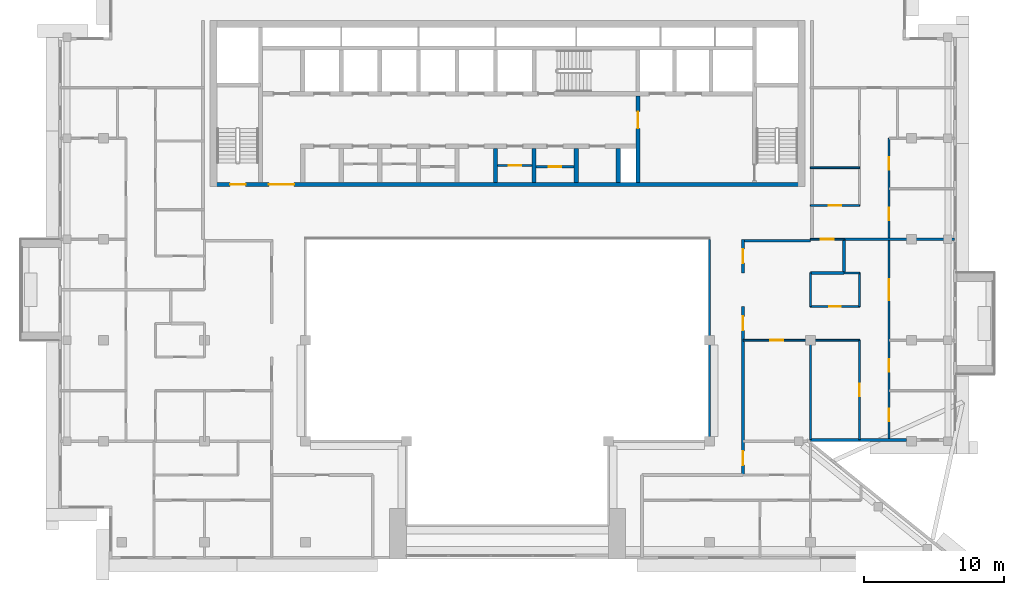
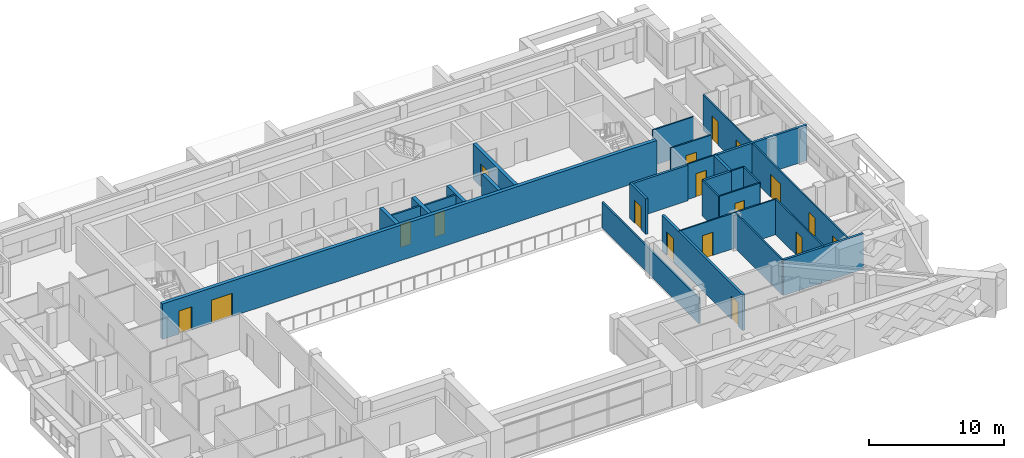
# One storey, part 9 of 18: 27 walls, 18 doors, 18 openings.
"""IFC4 building model written with IfcOpenShell, lengths in metres."""

from ifc_helpers import new_model, si_unit, direction, frame, frame_2d, origin, place, context, subcontext, project, spatial, rectangle, extrude, material, layer, layer_set, type_object, element, fill, save


model = new_model("IFC4")

# Units and contexts
model_context = context("Model", 3, precision=1e-05, world=origin(), true_north=direction((0.0, 1.0)))
body_context = subcontext(model_context, "Body", "Model", "MODEL_VIEW")
ifc_project = project(units=[si_unit("LENGTHUNIT", "METRE"), si_unit("AREAUNIT", "SQUARE_METRE"), si_unit("VOLUMEUNIT", "CUBIC_METRE"), si_unit("PLANEANGLEUNIT", "RADIAN"), si_unit("MASSUNIT", "GRAM", prefix="KILO")], contexts=[model_context])

# Site, building, storey
site_placement = place(None, origin())
site = spatial("IfcSite", under=ifc_project, at=site_placement, CompositionType="ELEMENT")
building_placement = place(site_placement, origin())
building = spatial("IfcBuilding", under=site, at=building_placement, Name="Saffron Iwan Residences", CompositionType="ELEMENT")
storey_placement = place(building_placement, frame((0.0, 0.0, 260.5)))
storey = spatial("IfcBuildingStorey", under=building, at=storey_placement, Name="L70", CompositionType="ELEMENT", Elevation=260.5)

# Wall
ifc_material_1 = material(Name="Fire-rated glazing", Category="glass")
ifc_layer_1 = layer(ifc_material_1, 0.14990234375)
ifc_layer_set_1 = layer_set([ifc_layer_1], Name="Fire-rated glazing")
wall_type_1 = type_object("IfcWallType", Name="Atrium glazed screen 150", PredefinedType="SOLIDWALL", material=ifc_layer_set_1)
wall_1_placement = place(storey_placement, frame((64.800048828125, 48.0, 0.0), z_axis=(0.0, 0.0, 1.0), x_axis=(0.0, 1.0, 0.0)))
element("IfcWall", 1, at=wall_1_placement, inside=storey, type_object=wall_type_1, Name="W-L70-SCREEN-v64.8-48", PredefinedType="SOLIDWALL", context=body_context, shape_type="SweptSolid", body=[
    extrude(rectangle(XDim=14.39990234375, YDim=0.14990234375, at=frame_2d((7.199951171875, 0.0))), origin(), (0.0, 0.0, 1.0), 2.320068359375),
])

# Wall, opening, door
ifc_material_2 = material(Name="Fire-rated plasterboard partition")
ifc_layer_2 = layer(ifc_material_2, 0.14990234375)
ifc_layer_set_2 = layer_set([ifc_layer_2], Name="Fire-rated plasterboard partition")
wall_type_2 = type_object("IfcWallType", Name="Core partition 150", PredefinedType="PARTITIONING", material=ifc_layer_set_2)
wall_2_placement = place(storey_placement, frame((49.699951171875, 67.66259765625, 0.0), z_axis=(0.0, 0.0, 1.0), x_axis=(1.0, 0.0, 0.0)))
wall_2 = element("IfcWall", 2, at=wall_2_placement, inside=storey, type_object=wall_type_2, Name="Core partition P04", PredefinedType="PARTITIONING", context=body_context, shape_type="SweptSolid", body=[
    extrude(rectangle(XDim=2.449951171875, YDim=0.14990234375, at=frame_2d((1.22509765625, 0.0))), origin(), (0.0, 0.0, 1.0), 3.219970703125),
])
opening_1_placement = place(wall_2_placement, frame((0.77490234375, 0.0, 0.0)))
opening_1 = element("IfcOpeningElement", 3, at=opening_1_placement, cuts=wall_2, Name="Opening SB", PredefinedType="OPENING", context=body_context, shape_type="SweptSolid", body=[
    extrude(rectangle(XDim=0.89990234375, YDim=2.10009765625, at=frame_2d((0.449951171875, 1.050048828125))), frame((0.0, 0.0849609375, 0.0), z_axis=(0.0, -1.0, 0.0), x_axis=(1.0, 0.0, 0.0)), (0.0, 0.0, 1.0), 0.169921875),
])
ifc_material_3 = material(Name="Steel fire door", Category="steel")
door_type_1 = type_object("IfcDoorType", Name="Store door 900", OperationType="NOTDEFINED", PredefinedType="DOOR", material=ifc_material_3)
door_1_placement = place(opening_1_placement, origin())
door_1 = element("IfcDoor", 4, at=door_1_placement, inside=storey, type_object=door_type_1, Name="Door Records store", OperationType="SINGLE_SWING_LEFT", OverallHeight=2.10009765625, OverallWidth=0.89990234375, PredefinedType="DOOR", context=body_context, shape_type="SweptSolid", body=[
    extrude(rectangle(XDim=0.89990234375, YDim=2.10009765625, at=frame_2d((0.449951171875, 1.050048828125))), frame((0.0, 0.02490234375, 0.0), z_axis=(0.0, -1.0, 0.0), x_axis=(1.0, 0.0, 0.0)), (0.0, 0.0, 1.0), 0.050048828125),
])
fill(opening_1, door_1)

wall_3_placement = place(storey_placement, frame((52.449951171875, 67.5654296875, 0.0), z_axis=(0.0, 0.0, 1.0), x_axis=(1.0, 0.0, 0.0)))
wall_3 = element("IfcWall", 5, at=wall_3_placement, inside=storey, type_object=wall_type_2, Name="Core partition P05", PredefinedType="PARTITIONING", context=body_context, shape_type="SweptSolid", body=[
    extrude(rectangle(XDim=2.699951171875, YDim=0.14990234375, at=frame_2d((1.35009765625, 0.0))), origin(), (0.0, 0.0, 1.0), 3.219970703125),
])
opening_2_placement = place(wall_3_placement, frame((0.89990234375, 0.0, 0.0)))
opening_2 = element("IfcOpeningElement", 6, at=opening_2_placement, cuts=wall_3, Name="Opening SB", PredefinedType="OPENING", context=body_context, shape_type="SweptSolid", body=[
    extrude(rectangle(XDim=0.89990234375, YDim=2.10009765625, at=frame_2d((0.449951171875, 1.050048828125))), frame((0.0, 0.0849609375, 0.0), z_axis=(0.0, -1.0, 0.0), x_axis=(1.0, 0.0, 0.0)), (0.0, 0.0, 1.0), 0.169921875),
])
door_2_placement = place(opening_2_placement, origin())
door_2 = element("IfcDoor", 7, at=door_2_placement, inside=storey, type_object=door_type_1, Name="Door Equipment store", OperationType="SINGLE_SWING_RIGHT", OverallHeight=2.10009765625, OverallWidth=0.89990234375, PredefinedType="DOOR", context=body_context, shape_type="SweptSolid", body=[
    extrude(rectangle(XDim=0.89990234375, YDim=2.10009765625, at=frame_2d((0.449951171875, 1.050048828125))), frame((0.0, 0.02490234375, 0.0), z_axis=(0.0, -1.0, 0.0), x_axis=(1.0, 0.0, 0.0)), (0.0, 0.0, 1.0), 0.050048828125),
])
fill(opening_2, door_2)

# Walls
ifc_material_4 = material(Name="Concrete C40/50", Category="concrete")
ifc_layer_3 = layer(ifc_material_4, 0.199951171875)
ifc_layer_set_3 = layer_set([ifc_layer_3], Name="Concrete C40/50")
wall_type_3 = type_object("IfcWallType", Name="EXTERNAL WALL 200", PredefinedType="SOLIDWALL", material=ifc_layer_set_3)
wall_4_placement = place(storey_placement, frame((71.987060546875, 48.10009765625, 0.0), z_axis=(0.0, 0.0, 1.0), x_axis=(1.0, 0.0, 0.0)))
element("IfcWall", 8, at=wall_4_placement, inside=storey, type_object=wall_type_3, Name="External wall L70 F1.0", PredefinedType="SOLIDWALL", context=body_context, shape_type="SweptSolid", body=[
    extrude(rectangle(XDim=6.863037109375, YDim=0.199951171875, at=frame_2d((3.431640625, 0.0))), origin(), (0.0, 0.0, 1.0), 3.219970703125),
])
ifc_material_5 = material(Name="Fire-rated gypsum board wall")
ifc_layer_4 = layer(ifc_material_5, 0.199951171875)
ifc_layer_set_4 = layer_set([ifc_layer_4], Name="Fire-rated gypsum board wall")
wall_type_4 = type_object("IfcWallType", Name="Flat demising wall 200", PredefinedType="SOLIDWALL", material=ifc_layer_set_4)
wall_5_placement = place(storey_placement, frame((72.0, 60.0, 0.0), z_axis=(0.0, 0.0, 1.0), x_axis=(1.0, 0.0, 0.0)))
element("IfcWall", 9, at=wall_5_placement, inside=storey, type_object=wall_type_4, Name="W-L70-DEMISE-h60-72", PredefinedType="SOLIDWALL", context=body_context, shape_type="SweptSolid", body=[
    extrude(rectangle(XDim=2.39990234375, YDim=0.199951171875, at=frame_2d((1.199951171875, 0.0))), origin(), (0.0, 0.0, 1.0), 3.219970703125),
])
wall_6_placement = place(storey_placement, frame((74.39990234375, 62.39990234375, 0.0), z_axis=(0.0, 0.0, 1.0), x_axis=(1.0, 0.0, 0.0)))
element("IfcWall", 10, at=wall_6_placement, inside=storey, type_object=wall_type_4, Name="W-L70-DEMISE-h62.4-74.4", PredefinedType="SOLIDWALL", context=body_context, shape_type="SweptSolid", body=[
    extrude(rectangle(XDim=7.875, YDim=0.199951171875, at=frame_2d((3.9375, 0.0))), origin(), (0.0, 0.0, 1.0), 3.219970703125),
])
wall_7_placement = place(storey_placement, frame((74.39990234375, 60.0, 0.0), z_axis=(0.0, 0.0, 1.0), x_axis=(0.0, 1.0, 0.0)))
element("IfcWall", 11, at=wall_7_placement, inside=storey, type_object=wall_type_4, Name="W-L70-DEMISE-v74.4-60", PredefinedType="SOLIDWALL", context=body_context, shape_type="SweptSolid", body=[
    extrude(rectangle(XDim=2.39990234375, YDim=0.199951171875, at=frame_2d((1.199951171875, 0.0))), origin(), (0.0, 0.0, 1.0), 3.219970703125),
])

# Wall, opening, door
ifc_material_6 = material(Name="Gypsum board partition")
ifc_layer_5 = layer(ifc_material_6, 0.1201171875)
ifc_layer_set_5 = layer_set([ifc_layer_5], Name="Gypsum board partition")
wall_type_5 = type_object("IfcWallType", Name="Flat partition 120", PredefinedType="PARTITIONING", material=ifc_layer_set_5)
wall_8_placement = place(storey_placement, frame((67.199951171875, 55.199951171875, 0.0), z_axis=(0.0, 0.0, 1.0), x_axis=(1.0, 0.0, 0.0)))
wall_8 = element("IfcWall", 12, at=wall_8_placement, inside=storey, type_object=wall_type_5, Name="W-L70-PART-h55.2-67.2", PredefinedType="PARTITIONING", context=body_context, shape_type="SweptSolid", body=[
    extrude(rectangle(XDim=8.300048828125, YDim=0.1201171875, at=frame_2d((4.14990234375, 0.0))), origin(), (0.0, 0.0, 1.0), 3.219970703125),
])
opening_3_placement = place(wall_8_placement, frame((1.949951171875, 0.0, 0.0)))
opening_3 = element("IfcOpeningElement", 13, at=opening_3_placement, cuts=wall_8, Name="Opening FD2", PredefinedType="OPENING", context=body_context, shape_type="SweptSolid", body=[
    extrude(rectangle(XDim=0.89990234375, YDim=2.10009765625, at=frame_2d((0.449951171875, 1.050048828125))), frame((0.0, 0.070068359375, 0.0), z_axis=(0.0, -1.0, 0.0), x_axis=(1.0, 0.0, 0.0)), (0.0, 0.0, 1.0), 0.14013671875),
])
ifc_material_7 = material(Name="Timber door", Category="wood")
door_type_2 = type_object("IfcDoorType", Name="Flat door 900", OperationType="NOTDEFINED", PredefinedType="DOOR", material=ifc_material_7)
door_3_placement = place(opening_3_placement, origin())
door_3 = element("IfcDoor", 14, at=door_3_placement, inside=storey, type_object=door_type_2, Name="Door L70-019", OperationType="SINGLE_SWING_LEFT", OverallHeight=2.10009765625, OverallWidth=0.89990234375, PredefinedType="DOOR", context=body_context, shape_type="SweptSolid", body=[
    extrude(rectangle(XDim=0.89990234375, YDim=2.10009765625, at=frame_2d((0.449951171875, 1.050048828125))), frame((0.0, 0.02490234375, 0.0), z_axis=(0.0, -1.0, 0.0), x_axis=(1.0, 0.0, 0.0)), (0.0, 0.0, 1.0), 0.050048828125),
])
fill(opening_3, door_3)

wall_9_placement = place(storey_placement, frame((72.0, 57.60009765625, 0.0), z_axis=(0.0, 0.0, 1.0), x_axis=(1.0, 0.0, 0.0)))
wall_9 = element("IfcWall", 15, at=wall_9_placement, inside=storey, type_object=wall_type_5, Name="W-L70-PART-h57.6-72", PredefinedType="PARTITIONING", context=body_context, shape_type="SweptSolid", body=[
    extrude(rectangle(XDim=3.5, YDim=0.1201171875, at=frame_2d((1.75, 0.0))), origin(), (0.0, 0.0, 1.0), 3.219970703125),
])
opening_4_placement = place(wall_9_placement, frame((1.35009765625, 0.0, 0.0)))
opening_4 = element("IfcOpeningElement", 16, at=opening_4_placement, cuts=wall_9, Name="Opening FD3", PredefinedType="OPENING", context=body_context, shape_type="SweptSolid", body=[
    extrude(rectangle(XDim=0.800048828125, YDim=2.10009765625, at=frame_2d((0.39990234375, 1.050048828125))), frame((0.0, 0.070068359375, 0.0), z_axis=(0.0, -1.0, 0.0), x_axis=(1.0, 0.0, 0.0)), (0.0, 0.0, 1.0), 0.14013671875),
])
door_type_3 = type_object("IfcDoorType", Name="Bathroom door 800", OperationType="NOTDEFINED", PredefinedType="DOOR", material=ifc_material_7)
door_4_placement = place(opening_4_placement, origin())
door_4 = element("IfcDoor", 17, at=door_4_placement, inside=storey, type_object=door_type_3, Name="Door L70-018", OperationType="SINGLE_SWING_RIGHT", OverallHeight=2.10009765625, OverallWidth=0.800048828125, PredefinedType="DOOR", context=body_context, shape_type="SweptSolid", body=[
    extrude(rectangle(XDim=0.800048828125, YDim=2.10009765625, at=frame_2d((0.39990234375, 1.050048828125))), frame((0.0, 0.02490234375, 0.0), z_axis=(0.0, -1.0, 0.0), x_axis=(1.0, 0.0, 0.0)), (0.0, 0.0, 1.0), 0.050048828125),
])
fill(opening_4, door_4)

# Wall
wall_10_placement = place(storey_placement, frame((74.39990234375, 60.0, 0.0), z_axis=(0.0, 0.0, 1.0), x_axis=(1.0, 0.0, 0.0)))
element("IfcWall", 18, at=wall_10_placement, inside=storey, type_object=wall_type_5, Name="W-L70-PART-h60-74.4", PredefinedType="PARTITIONING", context=body_context, shape_type="SweptSolid", body=[
    extrude(rectangle(XDim=1.10009765625, YDim=0.1201171875, at=frame_2d((0.550048828125, 0.0))), origin(), (0.0, 0.0, 1.0), 3.219970703125),
])

# Wall, opening, door
wall_11_placement = place(storey_placement, frame((72.0, 62.39990234375, 0.0), z_axis=(0.0, 0.0, 1.0), x_axis=(1.0, 0.0, 0.0)))
wall_11 = element("IfcWall", 19, at=wall_11_placement, inside=storey, type_object=wall_type_5, Name="W-L70-PART-h62.4-72", PredefinedType="PARTITIONING", context=body_context, shape_type="SweptSolid", body=[
    extrude(rectangle(XDim=2.39990234375, YDim=0.1201171875, at=frame_2d((1.199951171875, 0.0))), origin(), (0.0, 0.0, 1.0), 3.219970703125),
])
opening_5_placement = place(wall_11_placement, frame((0.75, 0.0, 0.0)))
opening_5 = element("IfcOpeningElement", 20, at=opening_5_placement, cuts=wall_11, Name="Opening FD2", PredefinedType="OPENING", context=body_context, shape_type="SweptSolid", body=[
    extrude(rectangle(XDim=0.89990234375, YDim=2.10009765625, at=frame_2d((0.449951171875, 1.050048828125))), frame((0.0, 0.070068359375, 0.0), z_axis=(0.0, -1.0, 0.0), x_axis=(1.0, 0.0, 0.0)), (0.0, 0.0, 1.0), 0.14013671875),
])
door_5_placement = place(opening_5_placement, origin())
door_5 = element("IfcDoor", 21, at=door_5_placement, inside=storey, type_object=door_type_2, Name="Door L70-029", OperationType="SINGLE_SWING_LEFT", OverallHeight=2.10009765625, OverallWidth=0.89990234375, PredefinedType="DOOR", context=body_context, shape_type="SweptSolid", body=[
    extrude(rectangle(XDim=0.89990234375, YDim=2.10009765625, at=frame_2d((0.449951171875, 1.050048828125))), frame((0.0, 0.02490234375, 0.0), z_axis=(0.0, -1.0, 0.0), x_axis=(1.0, 0.0, 0.0)), (0.0, 0.0, 1.0), 0.050048828125),
])
fill(opening_5, door_5)

wall_12_placement = place(storey_placement, frame((72.0, 64.800048828125, 0.0), z_axis=(0.0, 0.0, 1.0), x_axis=(1.0, 0.0, 0.0)))
wall_12 = element("IfcWall", 22, at=wall_12_placement, inside=storey, type_object=wall_type_5, Name="W-L70-PART-h64.8-72", PredefinedType="PARTITIONING", context=body_context, shape_type="SweptSolid", body=[
    extrude(rectangle(XDim=3.5, YDim=0.1201171875, at=frame_2d((1.75, 0.0))), origin(), (0.0, 0.0, 1.0), 3.219970703125),
])
opening_6_placement = place(wall_12_placement, frame((1.300048828125, 0.0, 0.0)))
opening_6 = element("IfcOpeningElement", 23, at=opening_6_placement, cuts=wall_12, Name="Opening FD2", PredefinedType="OPENING", context=body_context, shape_type="SweptSolid", body=[
    extrude(rectangle(XDim=0.89990234375, YDim=2.10009765625, at=frame_2d((0.449951171875, 1.050048828125))), frame((0.0, 0.070068359375, 0.0), z_axis=(0.0, -1.0, 0.0), x_axis=(1.0, 0.0, 0.0)), (0.0, 0.0, 1.0), 0.14013671875),
])
door_6_placement = place(opening_6_placement, origin())
door_6 = element("IfcDoor", 24, at=door_6_placement, inside=storey, type_object=door_type_2, Name="Door L70-035", OperationType="SINGLE_SWING_LEFT", OverallHeight=2.10009765625, OverallWidth=0.89990234375, PredefinedType="DOOR", context=body_context, shape_type="SweptSolid", body=[
    extrude(rectangle(XDim=0.89990234375, YDim=2.10009765625, at=frame_2d((0.449951171875, 1.050048828125))), frame((0.0, 0.02490234375, 0.0), z_axis=(0.0, -1.0, 0.0), x_axis=(1.0, 0.0, 0.0)), (0.0, 0.0, 1.0), 0.050048828125),
])
fill(opening_6, door_6)

# Walls
wall_13_placement = place(storey_placement, frame((72.0, 67.5, 0.0), z_axis=(0.0, 0.0, 1.0), x_axis=(1.0, 0.0, 0.0)))
element("IfcWall", 25, at=wall_13_placement, inside=storey, type_object=wall_type_5, Name="W-L70-PART-h67.5-72", PredefinedType="PARTITIONING", context=body_context, shape_type="SweptSolid", body=[
    extrude(rectangle(XDim=3.5, YDim=0.1201171875, at=frame_2d((1.75, 0.0))), origin(), (0.0, 0.0, 1.0), 3.219970703125),
])
wall_14_placement = place(storey_placement, frame((72.0, 48.125, 0.0), z_axis=(0.0, 0.0, 1.0), x_axis=(0.0, 1.0, 0.0)))
element("IfcWall", 26, at=wall_14_placement, inside=storey, type_object=wall_type_5, Name="W-L70-PART-v72-48.125", PredefinedType="PARTITIONING", context=body_context, shape_type="SweptSolid", body=[
    extrude(rectangle(XDim=7.074951171875, YDim=0.1201171875, at=frame_2d((3.53759765625, 0.0))), origin(), (0.0, 0.0, 1.0), 3.219970703125),
])
wall_15_placement = place(storey_placement, frame((72.0, 57.60009765625, 0.0), z_axis=(0.0, 0.0, 1.0), x_axis=(0.0, 1.0, 0.0)))
element("IfcWall", 27, at=wall_15_placement, inside=storey, type_object=wall_type_5, Name="W-L70-PART-v72-57.6", PredefinedType="PARTITIONING", context=body_context, shape_type="SweptSolid", body=[
    extrude(rectangle(XDim=2.39990234375, YDim=0.1201171875, at=frame_2d((1.199951171875, 0.0))), origin(), (0.0, 0.0, 1.0), 3.219970703125),
])

# Wall, opening, door
wall_16_placement = place(storey_placement, frame((75.5, 48.125, 0.0), z_axis=(0.0, 0.0, 1.0), x_axis=(0.0, 1.0, 0.0)))
wall_16 = element("IfcWall", 28, at=wall_16_placement, inside=storey, type_object=wall_type_5, Name="W-L70-PART-v75.5-48.125", PredefinedType="PARTITIONING", context=body_context, shape_type="SweptSolid", body=[
    extrude(rectangle(XDim=7.074951171875, YDim=0.1201171875, at=frame_2d((3.53759765625, 0.0))), origin(), (0.0, 0.0, 1.0), 3.219970703125),
])
opening_7_placement = place(wall_16_placement, frame((3.08740234375, 0.0, 0.0)))
opening_7 = element("IfcOpeningElement", 29, at=opening_7_placement, cuts=wall_16, Name="Opening FD2", PredefinedType="OPENING", context=body_context, shape_type="SweptSolid", body=[
    extrude(rectangle(XDim=0.89990234375, YDim=2.10009765625, at=frame_2d((0.449951171875, 1.050048828125))), frame((0.0, 0.070068359375, 0.0), z_axis=(0.0, -1.0, 0.0), x_axis=(1.0, 0.0, 0.0)), (0.0, 0.0, 1.0), 0.14013671875),
])
door_7_placement = place(opening_7_placement, origin())
door_7 = element("IfcDoor", 30, at=door_7_placement, inside=storey, type_object=door_type_2, Name="Door L70-017", OperationType="SINGLE_SWING_LEFT", OverallHeight=2.10009765625, OverallWidth=0.89990234375, PredefinedType="DOOR", context=body_context, shape_type="SweptSolid", body=[
    extrude(rectangle(XDim=0.89990234375, YDim=2.10009765625, at=frame_2d((0.449951171875, 1.050048828125))), frame((0.0, 0.02490234375, 0.0), z_axis=(0.0, -1.0, 0.0), x_axis=(1.0, 0.0, 0.0)), (0.0, 0.0, 1.0), 0.050048828125),
])
fill(opening_7, door_7)

# Wall
wall_17_placement = place(storey_placement, frame((75.5, 57.60009765625, 0.0), z_axis=(0.0, 0.0, 1.0), x_axis=(0.0, 1.0, 0.0)))
element("IfcWall", 31, at=wall_17_placement, inside=storey, type_object=wall_type_5, Name="W-L70-PART-v75.5-57.6", PredefinedType="PARTITIONING", context=body_context, shape_type="SweptSolid", body=[
    extrude(rectangle(XDim=2.39990234375, YDim=0.1201171875, at=frame_2d((1.199951171875, 0.0))), origin(), (0.0, 0.0, 1.0), 3.219970703125),
])

# Wall, openings, doors
wall_18_placement = place(storey_placement, frame((77.60009765625, 48.125, 0.0), z_axis=(0.0, 0.0, 1.0), x_axis=(0.0, 1.0, 0.0)))
wall_18 = element("IfcWall", 32, at=wall_18_placement, inside=storey, type_object=wall_type_5, Name="W-L70-PART-v77.6-48.125", PredefinedType="PARTITIONING", context=body_context, shape_type="SweptSolid", body=[
    extrude(rectangle(XDim=21.47509765625, YDim=0.1201171875, at=frame_2d((10.737548828125, 0.0))), origin(), (0.0, 0.0, 1.0), 3.219970703125),
])
opening_8_placement = place(wall_18_placement, frame((1.28759765625, 0.0, 0.0)))
opening_8 = element("IfcOpeningElement", 33, at=opening_8_placement, cuts=wall_18, Name="Opening FD2", PredefinedType="OPENING", context=body_context, shape_type="SweptSolid", body=[
    extrude(rectangle(XDim=0.89990234375, YDim=2.10009765625, at=frame_2d((0.449951171875, 1.050048828125))), frame((0.0, 0.070068359375, 0.0), z_axis=(0.0, -1.0, 0.0), x_axis=(1.0, 0.0, 0.0)), (0.0, 0.0, 1.0), 0.14013671875),
])
opening_9_placement = place(wall_18_placement, frame((4.824951171875, 0.0, 0.0)))
opening_9 = element("IfcOpeningElement", 34, at=opening_9_placement, cuts=wall_18, Name="Opening FD2", PredefinedType="OPENING", context=body_context, shape_type="SweptSolid", body=[
    extrude(rectangle(XDim=0.89990234375, YDim=2.10009765625, at=frame_2d((0.449951171875, 1.050048828125))), frame((0.0, 0.070068359375, 0.0), z_axis=(0.0, -1.0, 0.0), x_axis=(1.0, 0.0, 0.0)), (0.0, 0.0, 1.0), 0.14013671875),
])
opening_10_placement = place(wall_18_placement, frame((9.925048828125, 0.0, 0.0)))
opening_10 = element("IfcOpeningElement", 35, at=opening_10_placement, cuts=wall_18, Name="Opening FD4", PredefinedType="OPENING", context=body_context, shape_type="SweptSolid", body=[
    extrude(rectangle(XDim=1.5, YDim=2.10009765625, at=frame_2d((0.75, 1.050048828125))), frame((0.0, 0.070068359375, 0.0), z_axis=(0.0, -1.0, 0.0), x_axis=(1.0, 0.0, 0.0)), (0.0, 0.0, 1.0), 0.14013671875),
])
opening_11_placement = place(wall_18_placement, frame((15.625, 0.0, 0.0)))
opening_11 = element("IfcOpeningElement", 36, at=opening_11_placement, cuts=wall_18, Name="Opening FD2", PredefinedType="OPENING", context=body_context, shape_type="SweptSolid", body=[
    extrude(rectangle(XDim=0.89990234375, YDim=2.10009765625, at=frame_2d((0.449951171875, 1.050048828125))), frame((0.0, 0.070068359375, 0.0), z_axis=(0.0, -1.0, 0.0), x_axis=(1.0, 0.0, 0.0)), (0.0, 0.0, 1.0), 0.14013671875),
])
opening_12_placement = place(wall_18_placement, frame((19.22509765625, 0.0, 0.0)))
opening_12 = element("IfcOpeningElement", 37, at=opening_12_placement, cuts=wall_18, Name="Opening FD2", PredefinedType="OPENING", context=body_context, shape_type="SweptSolid", body=[
    extrude(rectangle(XDim=0.89990234375, YDim=2.10009765625, at=frame_2d((0.449951171875, 1.050048828125))), frame((0.0, 0.070068359375, 0.0), z_axis=(0.0, -1.0, 0.0), x_axis=(1.0, 0.0, 0.0)), (0.0, 0.0, 1.0), 0.14013671875),
])
door_type_4 = type_object("IfcDoorType", Name="Double door 1500", OperationType="NOTDEFINED", PredefinedType="DOOR", material=ifc_material_7)
door_8_placement = place(opening_10_placement, origin())
door_8 = element("IfcDoor", 38, at=door_8_placement, inside=storey, type_object=door_type_4, Name="Door L70-016", OperationType="SINGLE_SWING_LEFT", OverallHeight=2.10009765625, OverallWidth=1.5, PredefinedType="DOOR", context=body_context, shape_type="SweptSolid", body=[
    extrude(rectangle(XDim=1.5, YDim=2.10009765625, at=frame_2d((0.75, 1.050048828125))), frame((0.0, 0.02490234375, 0.0), z_axis=(0.0, -1.0, 0.0), x_axis=(1.0, 0.0, 0.0)), (0.0, 0.0, 1.0), 0.050048828125),
])
fill(opening_10, door_8)
door_9_placement = place(opening_8_placement, origin())
door_9 = element("IfcDoor", 39, at=door_9_placement, inside=storey, type_object=door_type_2, Name="Door L70-014", OperationType="SINGLE_SWING_LEFT", OverallHeight=2.10009765625, OverallWidth=0.89990234375, PredefinedType="DOOR", context=body_context, shape_type="SweptSolid", body=[
    extrude(rectangle(XDim=0.89990234375, YDim=2.10009765625, at=frame_2d((0.449951171875, 1.050048828125))), frame((0.0, 0.02490234375, 0.0), z_axis=(0.0, -1.0, 0.0), x_axis=(1.0, 0.0, 0.0)), (0.0, 0.0, 1.0), 0.050048828125),
])
fill(opening_8, door_9)
door_10_placement = place(opening_9_placement, origin())
door_10 = element("IfcDoor", 40, at=door_10_placement, inside=storey, type_object=door_type_2, Name="Door L70-015", OperationType="SINGLE_SWING_RIGHT", OverallHeight=2.10009765625, OverallWidth=0.89990234375, PredefinedType="DOOR", context=body_context, shape_type="SweptSolid", body=[
    extrude(rectangle(XDim=0.89990234375, YDim=2.10009765625, at=frame_2d((0.449951171875, 1.050048828125))), frame((0.0, 0.02490234375, 0.0), z_axis=(0.0, -1.0, 0.0), x_axis=(1.0, 0.0, 0.0)), (0.0, 0.0, 1.0), 0.050048828125),
])
fill(opening_9, door_10)
door_11_placement = place(opening_11_placement, origin())
door_11 = element("IfcDoor", 41, at=door_11_placement, inside=storey, type_object=door_type_2, Name="Door L70-031", OperationType="SINGLE_SWING_LEFT", OverallHeight=2.10009765625, OverallWidth=0.89990234375, PredefinedType="DOOR", context=body_context, shape_type="SweptSolid", body=[
    extrude(rectangle(XDim=0.89990234375, YDim=2.10009765625, at=frame_2d((0.449951171875, 1.050048828125))), frame((0.0, 0.02490234375, 0.0), z_axis=(0.0, -1.0, 0.0), x_axis=(1.0, 0.0, 0.0)), (0.0, 0.0, 1.0), 0.050048828125),
])
fill(opening_11, door_11)
door_12_placement = place(opening_12_placement, origin())
door_12 = element("IfcDoor", 42, at=door_12_placement, inside=storey, type_object=door_type_2, Name="Door L70-032", OperationType="SINGLE_SWING_LEFT", OverallHeight=2.10009765625, OverallWidth=0.89990234375, PredefinedType="DOOR", context=body_context, shape_type="SweptSolid", body=[
    extrude(rectangle(XDim=0.89990234375, YDim=2.10009765625, at=frame_2d((0.449951171875, 1.050048828125))), frame((0.0, 0.02490234375, 0.0), z_axis=(0.0, -1.0, 0.0), x_axis=(1.0, 0.0, 0.0)), (0.0, 0.0, 1.0), 0.050048828125),
])
fill(opening_12, door_12)

# Wall
ifc_layer_6 = layer(ifc_material_5, 0.199951171875)
ifc_layer_set_6 = layer_set([ifc_layer_6], Name="Fire-rated gypsum board wall")
wall_type_6 = type_object("IfcWallType", Name="Gallery wall 200", PredefinedType="SOLIDWALL", material=ifc_layer_set_6)
wall_19_placement = place(storey_placement, frame((67.199951171875, 62.300048828125, 0.0), z_axis=(0.0, 0.0, 1.0), x_axis=(1.0, 0.0, 0.0)))
element("IfcWall", 43, at=wall_19_placement, inside=storey, type_object=wall_type_6, Name="W-L70-CORR-h62.4-67.2", PredefinedType="SOLIDWALL", context=body_context, shape_type="SweptSolid", body=[
    extrude(rectangle(XDim=4.800048828125, YDim=0.199951171875, at=frame_2d((2.39990234375, 0.0))), origin(), (0.0, 0.0, 1.0), 3.219970703125),
])

# Wall, openings, doors
wall_20_placement = place(storey_placement, frame((67.199951171875, 45.60009765625, 0.0), z_axis=(0.0, 0.0, 1.0), x_axis=(0.0, 1.0, 0.0)))
wall_20 = element("IfcWall", 44, at=wall_20_placement, inside=storey, type_object=wall_type_6, Name="W-L70-CORR-v67.2-45.6", PredefinedType="SOLIDWALL", context=body_context, shape_type="SweptSolid", body=[
    extrude(rectangle(XDim=12.0, YDim=0.199951171875, at=frame_2d((6.0, 0.0))), origin(), (0.0, 0.0, 1.0), 3.219970703125),
])
opening_13_placement = place(wall_20_placement, frame((10.300048828125, 0.0, 0.0)))
opening_13 = element("IfcOpeningElement", 45, at=opening_13_placement, cuts=wall_20, Name="Opening FD1", PredefinedType="OPENING", context=body_context, shape_type="SweptSolid", body=[
    extrude(rectangle(XDim=1.0, YDim=2.10009765625, at=frame_2d((0.5, 1.050048828125))), frame((0.0, 0.10986328125, 0.0), z_axis=(0.0, -1.0, 0.0), x_axis=(1.0, 0.0, 0.0)), (0.0, 0.0, 1.0), 0.219970703125),
])
opening_14_placement = place(wall_20_placement, frame((0.699951171875, 0.0, 0.0)))
opening_14 = element("IfcOpeningElement", 46, at=opening_14_placement, cuts=wall_20, Name="Opening FD5", PredefinedType="OPENING", context=body_context, shape_type="SweptSolid", body=[
    extrude(rectangle(XDim=1.0, YDim=2.10009765625, at=frame_2d((0.5, 1.050048828125))), frame((0.0, 0.10986328125, 0.0), z_axis=(0.0, -1.0, 0.0), x_axis=(1.0, 0.0, 0.0)), (0.0, 0.0, 1.0), 0.219970703125),
])
ifc_material_8 = material(Name="Fire-rated timber door", Category="wood")
door_type_5 = type_object("IfcDoorType", Name="FD30S flat entrance door 1000", OperationType="NOTDEFINED", PredefinedType="DOOR", material=ifc_material_8)
door_13_placement = place(opening_13_placement, origin())
door_13 = element("IfcDoor", 47, at=door_13_placement, inside=storey, type_object=door_type_5, Name="Door L70-013", OperationType="SINGLE_SWING_LEFT", OverallHeight=2.10009765625, OverallWidth=1.0, PredefinedType="DOOR", context=body_context, shape_type="SweptSolid", body=[
    extrude(rectangle(XDim=1.0, YDim=2.10009765625, at=frame_2d((0.5, 1.050048828125))), frame((0.0, 0.02490234375, 0.0), z_axis=(0.0, -1.0, 0.0), x_axis=(1.0, 0.0, 0.0)), (0.0, 0.0, 1.0), 0.050048828125),
])
fill(opening_13, door_13)
door_type_6 = type_object("IfcDoorType", Name="Lobby door 1000", OperationType="NOTDEFINED", PredefinedType="DOOR", material=ifc_material_8)
door_14_placement = place(opening_14_placement, origin())
door_14 = element("IfcDoor", 48, at=door_14_placement, inside=storey, type_object=door_type_6, Name="Door L70-039", OperationType="SINGLE_SWING_RIGHT", OverallHeight=2.10009765625, OverallWidth=1.0, PredefinedType="DOOR", context=body_context, shape_type="SweptSolid", body=[
    extrude(rectangle(XDim=1.0, YDim=2.10009765625, at=frame_2d((0.5, 1.050048828125))), frame((0.0, 0.02490234375, 0.0), z_axis=(0.0, -1.0, 0.0), x_axis=(1.0, 0.0, 0.0)), (0.0, 0.0, 1.0), 0.050048828125),
])
fill(opening_14, door_14)

# Wall, opening, door
wall_21_placement = place(storey_placement, frame((67.199951171875, 60.0, 0.0), z_axis=(0.0, 0.0, 1.0), x_axis=(0.0, 1.0, 0.0)))
wall_21 = element("IfcWall", 49, at=wall_21_placement, inside=storey, type_object=wall_type_6, Name="W-L70-CORR-v67.2-60", PredefinedType="SOLIDWALL", context=body_context, shape_type="SweptSolid", body=[
    extrude(rectangle(XDim=2.39990234375, YDim=0.199951171875, at=frame_2d((1.199951171875, 0.0))), origin(), (0.0, 0.0, 1.0), 3.219970703125),
])
opening_15_placement = place(wall_21_placement, frame((0.699951171875, 0.0, 0.0)))
opening_15 = element("IfcOpeningElement", 50, at=opening_15_placement, cuts=wall_21, Name="Opening FD5", PredefinedType="OPENING", context=body_context, shape_type="SweptSolid", body=[
    extrude(rectangle(XDim=1.0, YDim=2.10009765625, at=frame_2d((0.5, 1.050048828125))), frame((0.0, 0.10986328125, 0.0), z_axis=(0.0, -1.0, 0.0), x_axis=(1.0, 0.0, 0.0)), (0.0, 0.0, 1.0), 0.219970703125),
])
door_15_placement = place(opening_15_placement, origin())
door_15 = element("IfcDoor", 51, at=door_15_placement, inside=storey, type_object=door_type_6, Name="Door L70-030", OperationType="SINGLE_SWING_RIGHT", OverallHeight=2.10009765625, OverallWidth=1.0, PredefinedType="DOOR", context=body_context, shape_type="SweptSolid", body=[
    extrude(rectangle(XDim=1.0, YDim=2.10009765625, at=frame_2d((0.5, 1.050048828125))), frame((0.0, 0.02490234375, 0.0), z_axis=(0.0, -1.0, 0.0), x_axis=(1.0, 0.0, 0.0)), (0.0, 0.0, 1.0), 0.050048828125),
])
fill(opening_15, door_15)

# Wall, openings, doors
ifc_layer_7 = layer(ifc_material_4, 0.300048828125)
ifc_layer_set_7 = layer_set([ifc_layer_7], Name="Concrete C40/50")
wall_type_7 = type_object("IfcWallType", Name="WALL CORE 300 C40/50 3220 HIGH", PredefinedType="SHEAR", material=ifc_layer_set_7)
wall_22_placement = place(storey_placement, frame((29.199951171875, 66.300048828125, 0.0), z_axis=(0.0, 0.0, 1.0), x_axis=(1.0, 0.0, 0.0)))
wall_22 = element("IfcWall", 52, at=wall_22_placement, inside=storey, type_object=wall_type_7, Name="Core wall", PredefinedType="SHEAR", context=body_context, shape_type="SweptSolid", body=[
    extrude(rectangle(XDim=42.400146484375, YDim=0.300048828125, at=frame_2d((21.2001953125, 0.0))), origin(), (0.0, 0.0, 1.0), 3.219970703125),
])
opening_16_placement = place(wall_22_placement, frame((1.425048828125, 0.0, 0.0)))
opening_16 = element("IfcOpeningElement", 53, at=opening_16_placement, cuts=wall_22, Name="Opening SD", PredefinedType="OPENING", context=body_context, shape_type="SweptSolid", body=[
    extrude(rectangle(XDim=1.10009765625, YDim=2.10009765625, at=frame_2d((0.550048828125, 1.050048828125))), frame((0.0, 0.16015625, 0.0), z_axis=(0.0, -1.0, 0.0), x_axis=(1.0, 0.0, 0.0)), (0.0, 0.0, 1.0), 0.320068359375),
])
opening_17_placement = place(wall_22_placement, frame((4.199951171875, 0.0, 0.0)))
opening_17 = element("IfcOpeningElement", 54, at=opening_17_placement, cuts=wall_22, Name="Opening DD", PredefinedType="OPENING", context=body_context, shape_type="SweptSolid", body=[
    extrude(rectangle(XDim=1.800048828125, YDim=2.10009765625, at=frame_2d((0.89990234375, 1.050048828125))), frame((0.0, 0.16015625, 0.0), z_axis=(0.0, -1.0, 0.0), x_axis=(1.0, 0.0, 0.0)), (0.0, 0.0, 1.0), 0.320068359375),
])
door_type_7 = type_object("IfcDoorType", Name="Lobby double door 1800", OperationType="DOUBLE_DOOR_SINGLE_SWING", PredefinedType="DOOR", material=ifc_material_3)
door_16_placement = place(opening_17_placement, origin())
door_16 = element("IfcDoor", 55, at=door_16_placement, inside=storey, type_object=door_type_7, Name="Lobby doors", OperationType="DOUBLE_DOOR_SINGLE_SWING", OverallHeight=2.10009765625, OverallWidth=1.800048828125, PredefinedType="DOOR", context=body_context, shape_type="SweptSolid", body=[
    extrude(rectangle(XDim=1.800048828125, YDim=2.10009765625, at=frame_2d((0.89990234375, 1.050048828125))), frame((0.0, 0.02490234375, 0.0), z_axis=(0.0, -1.0, 0.0), x_axis=(1.0, 0.0, 0.0)), (0.0, 0.0, 1.0), 0.050048828125),
])
fill(opening_17, door_16)
door_type_8 = type_object("IfcDoorType", Name="Stair door 1100", OperationType="NOTDEFINED", PredefinedType="DOOR", material=ifc_material_3)
door_17_placement = place(opening_16_placement, origin())
door_17 = element("IfcDoor", 56, at=door_17_placement, inside=storey, type_object=door_type_8, Name="Stair door ST-W", OperationType="SINGLE_SWING_LEFT", OverallHeight=2.10009765625, OverallWidth=1.10009765625, PredefinedType="DOOR", context=body_context, shape_type="SweptSolid", body=[
    extrude(rectangle(XDim=1.10009765625, YDim=2.10009765625, at=frame_2d((0.550048828125, 1.050048828125))), frame((0.0, 0.02490234375, 0.0), z_axis=(0.0, -1.0, 0.0), x_axis=(1.0, 0.0, 0.0)), (0.0, 0.0, 1.0), 0.050048828125),
])
fill(opening_16, door_17)

# Wall, opening, door
wall_23_placement = place(storey_placement, frame((59.699951171875, 66.449951171875, 0.0), z_axis=(0.0, 0.0, 1.0), x_axis=(0.0, 1.0, 0.0)))
wall_23 = element("IfcWall", 57, at=wall_23_placement, inside=storey, type_object=wall_type_7, Name="Core wall", PredefinedType="SHEAR", context=body_context, shape_type="SweptSolid", body=[
    extrude(rectangle(XDim=6.175048828125, YDim=0.300048828125, at=frame_2d((3.08740234375, 0.0))), origin(), (0.0, 0.0, 1.0), 3.219970703125),
])
opening_18_placement = place(wall_23_placement, frame((3.85009765625, 0.0, 0.0)))
opening_18 = element("IfcOpeningElement", 58, at=opening_18_placement, cuts=wall_23, Name="Opening FD", PredefinedType="OPENING", context=body_context, shape_type="SweptSolid", body=[
    extrude(rectangle(XDim=1.199951171875, YDim=2.10009765625, at=frame_2d((0.60009765625, 1.050048828125))), frame((0.0, 0.16015625, 0.0), z_axis=(0.0, -1.0, 0.0), x_axis=(1.0, 0.0, 0.0)), (0.0, 0.0, 1.0), 0.320068359375),
])
door_type_9 = type_object("IfcDoorType", Name="Firefighting lobby door 1200", OperationType="NOTDEFINED", PredefinedType="DOOR", material=ifc_material_3)
door_18_placement = place(opening_18_placement, origin())
door_18 = element("IfcDoor", 59, at=door_18_placement, inside=storey, type_object=door_type_9, Name="Firefighting lobby door", OperationType="SINGLE_SWING_LEFT", OverallHeight=2.10009765625, OverallWidth=1.199951171875, PredefinedType="DOOR", context=body_context, shape_type="SweptSolid", body=[
    extrude(rectangle(XDim=1.199951171875, YDim=2.10009765625, at=frame_2d((0.60009765625, 1.050048828125))), frame((0.0, 0.02490234375, 0.0), z_axis=(0.0, -1.0, 0.0), x_axis=(1.0, 0.0, 0.0)), (0.0, 0.0, 1.0), 0.050048828125),
])
fill(opening_18, door_18)

# Walls
for number, where, z_axis, x_axis, name in (
    (60, (49.550048828125, 66.449951171875, 0.0), (0.0, 0.0, 1.0), (0.0, 1.0, 0.0), "Core wall"),
    (61, (52.300048828125, 66.449951171875, 0.0), (0.0, 0.0, 1.0), (0.0, 1.0, 0.0), "Core wall"),
    (62, (55.300048828125, 66.449951171875, 0.0), (0.0, 0.0, 1.0), (0.0, 1.0, 0.0), "Core wall"),
    (63, (58.300048828125, 66.449951171875, 0.0), (0.0, 0.0, 1.0), (0.0, 1.0, 0.0), "Core wall"),
):
    element("IfcWall", number, at=place(storey_placement, frame(where, z_axis=z_axis, x_axis=x_axis)), inside=storey, type_object=wall_type_7, Name=name, PredefinedType="SHEAR", context=body_context, shape_type="SweptSolid", body=[
        extrude(rectangle(XDim=2.425048828125, YDim=0.300048828125, at=frame_2d((1.21240234375, 0.0))), origin(), (0.0, 0.0, 1.0), 3.219970703125),
    ])

save(model, "model.ifc")
